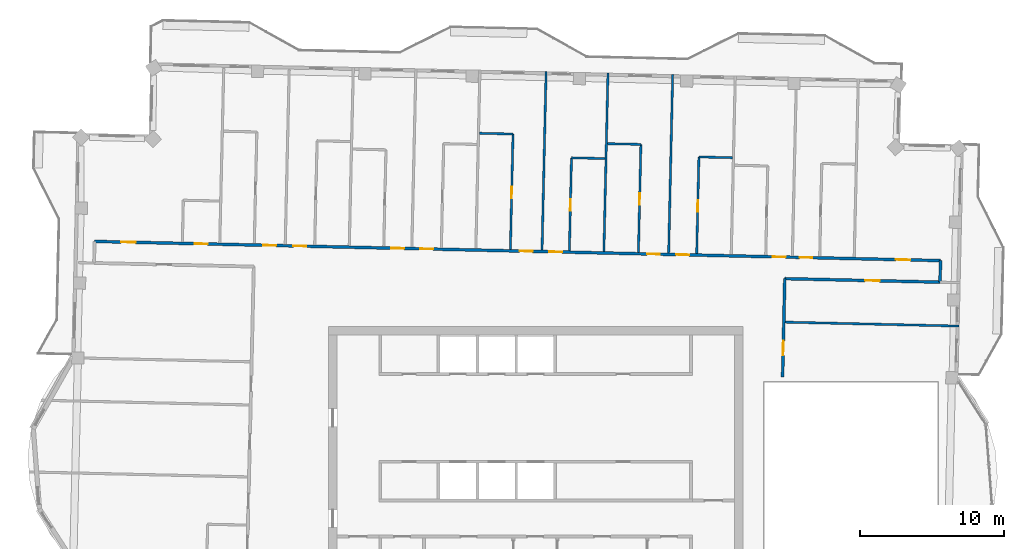
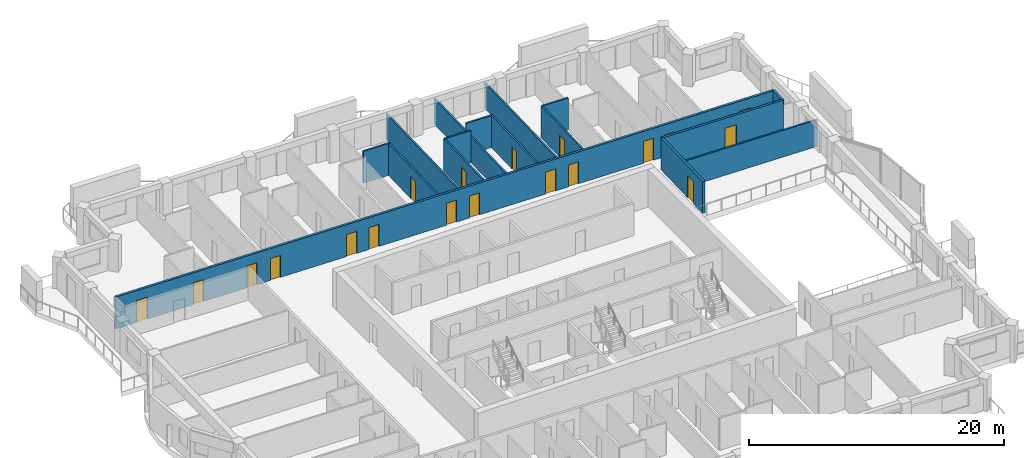
# One storey, part 9 of 15: 19 doors, 16 walls, 19 openings.
"""IFC4 building model written with IfcOpenShell, lengths in metres."""

import ifcopenshell
import ifcopenshell.guid

model = None  # the IFC model being written
_history = None  # IfcOwnerHistory: only IFC2X3 demands one
_inside = {}  # id of a spatial element -> (the spatial element, [elements in it])
_under = {}  # id of a project, library or spatial element -> (it, [spatial elements below it])
_declared = {}  # id of a project -> (the project, [libraries it declares])
_typed = {}  # id of a type object -> (the type object, [elements of that type])
_made_of = {}  # id of a material, layer set ... -> (it, [elements and type objects made of it])


def new_model(schema):
    """Start an empty IFC model of exactly this schema.

    Asked for "IFC4X3", IfcOpenShell would pick the latest addendum, in which some entities
    have other attributes; the version numbers below select the first issue.
    IFC2X3 requires an IfcOwnerHistory on every rooted entity: one is made here for all.
    """
    global model, _history
    if schema == "IFC4X3":
        model = ifcopenshell.file(schema_version=(4, 3, 0, 0))
    else:
        model = ifcopenshell.file(schema=schema)
    _inside.clear()
    _under.clear()
    _declared.clear()
    _typed.clear()
    _made_of.clear()
    _history = None
    if model.schema == "IFC2X3":
        org = make("IfcOrganization", Name="unknown")
        user = make(
            "IfcPersonAndOrganization",
            ThePerson=make("IfcPerson", FamilyName="unknown"),
            TheOrganization=org,
        )
        app = make(
            "IfcApplication",
            ApplicationDeveloper=org,
            Version="unknown",
            ApplicationFullName="unknown",
            ApplicationIdentifier="unknown",
        )
        _history = make(
            "IfcOwnerHistory",
            OwningUser=user,
            OwningApplication=app,
            ChangeAction="ADDED",
            CreationDate=0,
        )
    return model


def make(cls, **values):
    """One entity of the class cls with the attributes given. An attribute that is None is left unset."""
    return model.create_entity(
        cls, **{name: value for name, value in values.items() if value is not None}
    )


def rooted(cls, **values):
    """An entity with a GlobalId (a new one), such as an element, a storey or a relation."""
    return make(cls, GlobalId=ifcopenshell.guid.new(), OwnerHistory=_history, **values)


def si_unit(unit_type, name, prefix=None):
    """IfcSIUnit, for example si_unit("LENGTHUNIT", "METRE", prefix="MILLI")."""
    return make("IfcSIUnit", UnitType=unit_type, Prefix=prefix, Name=name)


def assignment(units):
    """IfcUnitAssignment: the units of a project."""
    return None if units is None else make("IfcUnitAssignment", Units=units)


def point(xyz):
    """IfcCartesianPoint."""
    return None if xyz is None else make("IfcCartesianPoint", Coordinates=xyz)


def direction(xyz):
    """IfcDirection."""
    return None if xyz is None else make("IfcDirection", DirectionRatios=xyz)


def frame(location, z_axis=None, x_axis=None):
    """IfcAxis2Placement3D, a coordinate frame: its origin and axes. An axis left out is left unset."""
    return make(
        "IfcAxis2Placement3D",
        Location=point(location),
        Axis=direction(z_axis),
        RefDirection=direction(x_axis),
    )


def frame_2d(location, x_axis=None):
    """IfcAxis2Placement2D, a coordinate frame in the plane: its origin and x axis."""
    return make(
        "IfcAxis2Placement2D", Location=point(location), RefDirection=direction(x_axis)
    )


def origin():
    """The frame at (0, 0, 0) with its axes left unset."""
    return frame((0.0, 0.0, 0.0))


def place(relative_to, where):
    """IfcLocalPlacement: puts the frame where relative to a parent placement (None: the world)."""
    return make(
        "IfcLocalPlacement", PlacementRelTo=relative_to, RelativePlacement=where
    )


def context(
    kind, dimensions, precision=None, world=None, true_north=None, identifier=None
):
    """IfcGeometricRepresentationContext, for example the 3D "Model" context."""
    return make(
        "IfcGeometricRepresentationContext",
        ContextIdentifier=identifier,
        ContextType=kind,
        CoordinateSpaceDimension=dimensions,
        Precision=precision,
        WorldCoordinateSystem=world,
        TrueNorth=true_north,
    )


def subcontext(parent, identifier, kind, view, scale=None):
    """IfcGeometricRepresentationSubContext, for example "Body" below "Model"."""
    return make(
        "IfcGeometricRepresentationSubContext",
        ContextIdentifier=identifier,
        ContextType=kind,
        ParentContext=parent,
        TargetScale=scale,
        TargetView=view,
    )


def project(units=None, contexts=None):
    """IfcProject with its units and contexts."""
    return rooted(
        "IfcProject",
        Name="project",
        RepresentationContexts=contexts,
        UnitsInContext=assignment(units),
    )


def spatial(cls, under=None, at=None, **own):
    """A site, building, storey or space (cls), placed at a placement, below another one or the project."""
    s = rooted(cls, ObjectPlacement=at, **own)
    if under is not None:
        _under.setdefault(under.id(), (under, []))[1].append(s)
    return s


def profile(cls, at=None, kind="AREA", **sizes):
    """A parametric profile (cls). Its sizes go by their IFC names, for example OverallWidth=200.0."""
    return make(cls, ProfileType=kind, Position=at, **sizes)


def rectangle(**sizes):
    """IfcRectangleProfileDef."""
    return profile("IfcRectangleProfileDef", **sizes)


def extrude(swept, where, along, depth):
    """IfcExtrudedAreaSolid: the profile swept, set in the frame where, extruded along a direction by depth."""
    return make(
        "IfcExtrudedAreaSolid",
        SweptArea=swept,
        Position=where,
        ExtrudedDirection=direction(along),
        Depth=depth,
    )


def shape(context_of_items, identifier, shape_type, items):
    """IfcShapeRepresentation: the items that make up one representation, for example the "Body"."""
    return make(
        "IfcShapeRepresentation",
        ContextOfItems=context_of_items,
        RepresentationIdentifier=identifier,
        RepresentationType=shape_type,
        Items=items,
    )


def material(Name=None, Category=None):
    """IfcMaterial."""
    return make("IfcMaterial", Name=Name, Category=Category)


def layer(
    of_material, thickness, ventilated=None, Name=None, Category=None, Priority=None
):
    """IfcMaterialLayer: one layer of a wall or slab, of a material (None: an air gap)."""
    return make(
        "IfcMaterialLayer",
        Material=of_material,
        LayerThickness=thickness,
        IsVentilated=ventilated,
        Name=Name,
        Category=Category,
        Priority=Priority,
    )


def layer_set(layers, Name=None):
    """IfcMaterialLayerSet."""
    return make("IfcMaterialLayerSet", MaterialLayers=layers, LayerSetName=Name)


def made_of(thing, what):
    """Note that an element or type object is made of a material, layer set ...; save() writes the relation."""
    if what is not None:
        _made_of.setdefault(what.id(), (what, []))[1].append(thing)
    return thing


def type_object(cls, material=None, **own):
    """A type object (cls), such as IfcWallType, which elements share."""
    return made_of(rooted(cls, **own), material)


def element(
    cls,
    number,
    at=None,
    inside=None,
    cuts=None,
    type_object=None,
    material=None,
    context=None,
    identifier="Body",
    shape_type=None,
    held_by="IfcProductDefinitionShape",
    body=None,
    shapes=None,
    **own,
):
    """One element of the class cls, such as IfcWall. Its Tag is "e" and its number.

    at: its placement. inside: the storey or other place that contains it. cuts: it is an
    opening in that element (IfcRelVoidsElement). A single representation is given by context,
    identifier, shape_type and body (its items); several are given by shapes. held_by: the class
    of the entity that holds the representations. save() writes the other relations.
    """
    e = rooted(cls, Tag="e%d" % number, ObjectPlacement=at, **own)
    if body is not None:
        shapes = [shape(context, identifier, shape_type, body)]
    if shapes is not None:
        e.Representation = make(held_by, Representations=shapes)
    if inside is not None:
        _inside.setdefault(inside.id(), (inside, []))[1].append(e)
    if cuts is not None:
        rooted(
            "IfcRelVoidsElement", RelatingBuildingElement=cuts, RelatedOpeningElement=e
        )
    if type_object is not None:
        _typed.setdefault(type_object.id(), (type_object, []))[1].append(e)
    return made_of(e, material)


def fill(opening, filler):
    """IfcRelFillsElement: the door or window that sits in an opening."""
    return rooted(
        "IfcRelFillsElement",
        RelatingOpeningElement=opening,
        RelatedBuildingElement=filler,
    )


def aggregate(whole, parts):
    """IfcRelAggregates: a whole, such as a stair, and the parts it consists of."""
    return rooted("IfcRelAggregates", RelatingObject=whole, RelatedObjects=parts)


def save(model, path):
    """Write the relations noted so far, then the file.

    IfcRelAggregates (storeys below a building ...), IfcRelContainedInSpatialStructure (elements
    in a storey), IfcRelDefinesByType, IfcRelAssociatesMaterial and IfcRelDeclares: one each for
    every whole, place, type object, material and project.
    """
    for whole, parts in _under.values():
        aggregate(whole, parts)
    for where, things in _inside.values():
        rooted(
            "IfcRelContainedInSpatialStructure",
            RelatedElements=things,
            RelatingStructure=where,
        )
    for kind, things in _typed.values():
        rooted("IfcRelDefinesByType", RelatedObjects=things, RelatingType=kind)
    for what, things in _made_of.values():
        rooted("IfcRelAssociatesMaterial", RelatedObjects=things, RelatingMaterial=what)
    for by, libraries in _declared.values():
        rooted("IfcRelDeclares", RelatingContext=by, RelatedDefinitions=libraries)
    model.write(path)


model = new_model("IFC4")

# Units and contexts
model_context = context("Model", 3, precision=1e-05, world=origin(), true_north=direction((0.0, 1.0)))
body_context = subcontext(model_context, "Body", "Model", "MODEL_VIEW")
ifc_project = project(units=[si_unit("LENGTHUNIT", "METRE"), si_unit("AREAUNIT", "SQUARE_METRE"), si_unit("VOLUMEUNIT", "CUBIC_METRE"), si_unit("PLANEANGLEUNIT", "RADIAN"), si_unit("MASSUNIT", "GRAM", prefix="KILO")], contexts=[model_context])

# Site, building, storey
site_placement = place(None, origin())
site = spatial("IfcSite", under=ifc_project, at=site_placement, CompositionType="ELEMENT")
building_placement = place(site_placement, origin())
building = spatial("IfcBuilding", under=site, at=building_placement, Name="Mangrove Gate Tower", CompositionType="ELEMENT")
storey_placement = place(building_placement, frame((0.0, 0.0, 320.5)))
storey = spatial("IfcBuildingStorey", under=building, at=storey_placement, Name="L82", CompositionType="ELEMENT", Elevation=320.5)

# Wall, opening, door
ifc_material_1 = material(Name="Gypsum board on steel stud, EI 60", Category="steel")
ifc_layer_1 = layer(ifc_material_1, 0.199951171875)
ifc_layer_set_1 = layer_set([ifc_layer_1], Name="Corridor wall EI 60")
wall_type_1 = type_object("IfcWallType", Name="Corridor wall EI 60", PredefinedType="PARTITIONING", material=ifc_layer_set_1)
wall_1_placement = place(storey_placement, frame((17.156982421875, 7.89794921875, 0.0), z_axis=(0.0, 0.0, 1.0), x_axis=(0.022562209343, 0.999745440955, 0.0)))
wall_1 = element("IfcWall", 1, at=wall_1_placement, inside=storey, type_object=wall_type_1, Name="WALL-L82-050", PredefinedType="PARTITIONING", context=body_context, shape_type="SweptSolid", body=[
    extrude(rectangle(XDim=6.827880859375, YDim=0.199951171875, at=frame_2d((3.4140625, 0.0))), origin(), (0.0, 0.0, 1.0), 3.050048828125),
])
opening_1_placement = place(wall_1_placement, frame((1.50390625, 0.0, 0.0)))
opening_1 = element("IfcOpeningElement", 2, at=opening_1_placement, cuts=wall_1, Name="Opening AD", PredefinedType="OPENING", context=body_context, shape_type="SweptSolid", body=[
    extrude(rectangle(XDim=1.0, YDim=2.10009765625, at=frame_2d((0.5, 1.050048828125))), frame((0.0, 0.10986328125, 0.0), z_axis=(0.0, -1.0, 0.0), x_axis=(1.0, 0.0, 0.0)), (0.0, 0.0, 1.0), 0.219970703125),
])
ifc_material_2 = material(Name="Timber door leaf", Category="wood")
door_type_1 = type_object("IfcDoorType", Name="Amenity door 1000", OperationType="SINGLE_SWING_LEFT", PredefinedType="DOOR", material=ifc_material_2)
door_1_placement = place(opening_1_placement, origin())
door_1 = element("IfcDoor", 3, at=door_1_placement, inside=storey, type_object=door_type_1, Name="DOOR-L82-KIT-c3a", OperationType="SINGLE_SWING_LEFT", OverallHeight=2.10009765625, OverallWidth=1.0, PredefinedType="DOOR", context=body_context, shape_type="SweptSolid", body=[
    extrude(rectangle(XDim=1.0, YDim=2.10009765625, at=frame_2d((0.5, 1.050048828125))), frame((0.0, 0.02490234375, 0.0), z_axis=(0.0, -1.0, 0.0), x_axis=(1.0, 0.0, 0.0)), (0.0, 0.0, 1.0), 0.050048828125),
])
fill(opening_1, door_1)

wall_2_placement = place(storey_placement, frame((17.305908203125, 14.72412109375, 0.0), z_axis=(0.0, 0.0, 1.0), x_axis=(0.999744269809, -0.022614043969, 0.0)))
wall_2 = element("IfcWall", 4, at=wall_2_placement, inside=storey, type_object=wall_type_1, Name="WALL-L82-056", PredefinedType="PARTITIONING", context=body_context, shape_type="SweptSolid", body=[
    extrude(rectangle(XDim=10.7958984375, YDim=0.199951171875, at=frame_2d((5.39794921875, 0.0))), origin(), (0.0, 0.0, 1.0), 3.050048828125),
])
opening_2_placement = place(wall_2_placement, frame((5.597900390625, 0.0, 0.0)))
opening_2 = element("IfcOpeningElement", 5, at=opening_2_placement, cuts=wall_2, Name="Opening AD", PredefinedType="OPENING", context=body_context, shape_type="SweptSolid", body=[
    extrude(rectangle(XDim=1.0, YDim=2.10009765625, at=frame_2d((0.5, 1.050048828125))), frame((0.0, 0.10986328125, 0.0), z_axis=(0.0, -1.0, 0.0), x_axis=(1.0, 0.0, 0.0)), (0.0, 0.0, 1.0), 0.219970703125),
])
door_2_placement = place(opening_2_placement, origin())
door_2 = element("IfcDoor", 6, at=door_2_placement, inside=storey, type_object=door_type_1, Name="DOOR-L82-STU-c3a", OperationType="SINGLE_SWING_RIGHT", OverallHeight=2.10009765625, OverallWidth=1.0, PredefinedType="DOOR", context=body_context, shape_type="SweptSolid", body=[
    extrude(rectangle(XDim=1.0, YDim=2.10009765625, at=frame_2d((0.5, 1.050048828125))), frame((0.0, 0.02490234375, 0.0), z_axis=(0.0, -1.0, 0.0), x_axis=(1.0, 0.0, 0.0)), (0.0, 0.0, 1.0), 0.050048828125),
])
fill(opening_2, door_2)

# Wall
wall_3_placement = place(storey_placement, frame((28.09912109375, 14.47998046875, 0.0), z_axis=(0.0, 0.0, 1.0), x_axis=(0.022632637625, 0.99974384905, 0.0)))
element("IfcWall", 7, at=wall_3_placement, inside=storey, type_object=wall_type_1, Name="WALL-L82-058", PredefinedType="PARTITIONING", context=body_context, shape_type="SweptSolid", body=[
    extrude(rectangle(XDim=1.49951171875, YDim=0.199951171875, at=frame_2d((0.749755859375, 0.0))), origin(), (0.0, 0.0, 1.0), 3.050048828125),
])

# Wall, openings, doors
wall_4_placement = place(storey_placement, frame((-30.652099609375, 17.31298828125, 0.0), z_axis=(0.0, 0.0, 1.0), x_axis=(0.999742623764, -0.02268669719, 0.0)))
wall_4 = element("IfcWall", 8, at=wall_4_placement, inside=storey, type_object=wall_type_1, Name="WALL-L82-059", PredefinedType="PARTITIONING", context=body_context, shape_type="SweptSolid", body=[
    extrude(rectangle(XDim=58.80029296875, YDim=0.199951171875, at=frame_2d((29.400146484375, 0.0))), origin(), (0.0, 0.0, 1.0), 3.050048828125),
])
opening_3_placement = place(wall_4_placement, frame((55.697998046875, 0.0, 0.0)))
opening_3 = element("IfcOpeningElement", 9, at=opening_3_placement, cuts=wall_4, Name="Opening AD", PredefinedType="OPENING", context=body_context, shape_type="SweptSolid", body=[
    extrude(rectangle(XDim=1.0, YDim=2.10009765625, at=frame_2d((0.5, 1.050048828125))), frame((0.0, 0.10986328125, 0.0), z_axis=(0.0, -1.0, 0.0), x_axis=(1.0, 0.0, 0.0)), (0.0, 0.0, 1.0), 0.219970703125),
])
opening_4_placement = place(wall_4_placement, frame((49.0, 0.0, 0.0)))
opening_4 = element("IfcOpeningElement", 10, at=opening_4_placement, cuts=wall_4, Name="Opening BD", PredefinedType="OPENING", context=body_context, shape_type="SweptSolid", body=[
    extrude(rectangle(XDim=0.89990234375, YDim=2.10009765625, at=frame_2d((0.449951171875, 1.050048828125))), frame((0.0, 0.10986328125, 0.0), z_axis=(0.0, -1.0, 0.0), x_axis=(1.0, 0.0, 0.0)), (0.0, 0.0, 1.0), 0.219970703125),
])
opening_5_placement = place(wall_4_placement, frame((47.125, 0.0, 0.0)))
opening_5 = element("IfcOpeningElement", 11, at=opening_5_placement, cuts=wall_4, Name="Opening BD", PredefinedType="OPENING", context=body_context, shape_type="SweptSolid", body=[
    extrude(rectangle(XDim=0.89990234375, YDim=2.10009765625, at=frame_2d((0.449951171875, 1.050048828125))), frame((0.0, 0.10986328125, 0.0), z_axis=(0.0, -1.0, 0.0), x_axis=(1.0, 0.0, 0.0)), (0.0, 0.0, 1.0), 0.219970703125),
])
opening_6_placement = place(wall_4_placement, frame((40.425048828125, 0.0, 0.0)))
opening_6 = element("IfcOpeningElement", 12, at=opening_6_placement, cuts=wall_4, Name="Opening BD", PredefinedType="OPENING", context=body_context, shape_type="SweptSolid", body=[
    extrude(rectangle(XDim=0.89990234375, YDim=2.10009765625, at=frame_2d((0.449951171875, 1.050048828125))), frame((0.0, 0.10986328125, 0.0), z_axis=(0.0, -1.0, 0.0), x_axis=(1.0, 0.0, 0.0)), (0.0, 0.0, 1.0), 0.219970703125),
])
opening_7_placement = place(wall_4_placement, frame((38.39990234375, 0.0, 0.0)))
opening_7 = element("IfcOpeningElement", 13, at=opening_7_placement, cuts=wall_4, Name="Opening BD", PredefinedType="OPENING", context=body_context, shape_type="SweptSolid", body=[
    extrude(rectangle(XDim=0.89990234375, YDim=2.10009765625, at=frame_2d((0.449951171875, 1.050048828125))), frame((0.0, 0.10986328125, 0.0), z_axis=(0.0, -1.0, 0.0), x_axis=(1.0, 0.0, 0.0)), (0.0, 0.0, 1.0), 0.219970703125),
])
opening_8_placement = place(wall_4_placement, frame((31.60009765625, 0.0, 0.0)))
opening_8 = element("IfcOpeningElement", 14, at=opening_8_placement, cuts=wall_4, Name="Opening BD", PredefinedType="OPENING", context=body_context, shape_type="SweptSolid", body=[
    extrude(rectangle(XDim=0.89990234375, YDim=2.10009765625, at=frame_2d((0.449951171875, 1.050048828125))), frame((0.0, 0.10986328125, 0.0), z_axis=(0.0, -1.0, 0.0), x_axis=(1.0, 0.0, 0.0)), (0.0, 0.0, 1.0), 0.219970703125),
])
opening_9_placement = place(wall_4_placement, frame((29.550048828125, 0.0, 0.0)))
opening_9 = element("IfcOpeningElement", 15, at=opening_9_placement, cuts=wall_4, Name="Opening BD", PredefinedType="OPENING", context=body_context, shape_type="SweptSolid", body=[
    extrude(rectangle(XDim=0.89990234375, YDim=2.10009765625, at=frame_2d((0.449951171875, 1.050048828125))), frame((0.0, 0.10986328125, 0.0), z_axis=(0.0, -1.0, 0.0), x_axis=(1.0, 0.0, 0.0)), (0.0, 0.0, 1.0), 0.219970703125),
])
opening_10_placement = place(wall_4_placement, frame((22.625, 0.0, 0.0)))
opening_10 = element("IfcOpeningElement", 16, at=opening_10_placement, cuts=wall_4, Name="Opening BD", PredefinedType="OPENING", context=body_context, shape_type="SweptSolid", body=[
    extrude(rectangle(XDim=0.89990234375, YDim=2.10009765625, at=frame_2d((0.449951171875, 1.050048828125))), frame((0.0, 0.10986328125, 0.0), z_axis=(0.0, -1.0, 0.0), x_axis=(1.0, 0.0, 0.0)), (0.0, 0.0, 1.0), 0.219970703125),
])
opening_11_placement = place(wall_4_placement, frame((20.625, 0.0, 0.0)))
opening_11 = element("IfcOpeningElement", 17, at=opening_11_placement, cuts=wall_4, Name="Opening BD", PredefinedType="OPENING", context=body_context, shape_type="SweptSolid", body=[
    extrude(rectangle(XDim=0.89990234375, YDim=2.10009765625, at=frame_2d((0.449951171875, 1.050048828125))), frame((0.0, 0.10986328125, 0.0), z_axis=(0.0, -1.0, 0.0), x_axis=(1.0, 0.0, 0.0)), (0.0, 0.0, 1.0), 0.219970703125),
])
opening_12_placement = place(wall_4_placement, frame((13.824951171875, 0.0, 0.0)))
opening_12 = element("IfcOpeningElement", 18, at=opening_12_placement, cuts=wall_4, Name="Opening BD", PredefinedType="OPENING", context=body_context, shape_type="SweptSolid", body=[
    extrude(rectangle(XDim=0.89990234375, YDim=2.10009765625, at=frame_2d((0.449951171875, 1.050048828125))), frame((0.0, 0.10986328125, 0.0), z_axis=(0.0, -1.0, 0.0), x_axis=(1.0, 0.0, 0.0)), (0.0, 0.0, 1.0), 0.219970703125),
])
opening_13_placement = place(wall_4_placement, frame((11.72509765625, 0.0, 0.0)))
opening_13 = element("IfcOpeningElement", 19, at=opening_13_placement, cuts=wall_4, Name="Opening BD", PredefinedType="OPENING", context=body_context, shape_type="SweptSolid", body=[
    extrude(rectangle(XDim=0.89990234375, YDim=2.10009765625, at=frame_2d((0.449951171875, 1.050048828125))), frame((0.0, 0.10986328125, 0.0), z_axis=(0.0, -1.0, 0.0), x_axis=(1.0, 0.0, 0.0)), (0.0, 0.0, 1.0), 0.219970703125),
])
opening_14_placement = place(wall_4_placement, frame((1.85009765625, 0.0, 0.0)))
opening_14 = element("IfcOpeningElement", 20, at=opening_14_placement, cuts=wall_4, Name="Opening AD", PredefinedType="OPENING", context=body_context, shape_type="SweptSolid", body=[
    extrude(rectangle(XDim=1.0, YDim=2.10009765625, at=frame_2d((0.5, 1.050048828125))), frame((0.0, 0.10986328125, 0.0), z_axis=(0.0, -1.0, 0.0), x_axis=(1.0, 0.0, 0.0)), (0.0, 0.0, 1.0), 0.219970703125),
])
opening_15_placement = place(wall_4_placement, frame((6.949951171875, 0.0, 0.0)))
opening_15 = element("IfcOpeningElement", 21, at=opening_15_placement, cuts=wall_4, Name="Opening SD", PredefinedType="OPENING", context=body_context, shape_type="SweptSolid", body=[
    extrude(rectangle(XDim=0.89990234375, YDim=2.10009765625, at=frame_2d((0.449951171875, 1.050048828125))), frame((0.0, 0.10986328125, 0.0), z_axis=(0.0, -1.0, 0.0), x_axis=(1.0, 0.0, 0.0)), (0.0, 0.0, 1.0), 0.219970703125),
])
door_3_placement = place(opening_3_placement, origin())
door_3 = element("IfcDoor", 22, at=door_3_placement, inside=storey, type_object=door_type_1, Name="DOOR-L82-STU-c3b", OperationType="SINGLE_SWING_LEFT", OverallHeight=2.10009765625, OverallWidth=1.0, PredefinedType="DOOR", context=body_context, shape_type="SweptSolid", body=[
    extrude(rectangle(XDim=1.0, YDim=2.10009765625, at=frame_2d((0.5, 1.050048828125))), frame((0.0, 0.02490234375, 0.0), z_axis=(0.0, -1.0, 0.0), x_axis=(1.0, 0.0, 0.0)), (0.0, 0.0, 1.0), 0.050048828125),
])
fill(opening_3, door_3)
door_4_placement = place(opening_14_placement, origin())
door_4 = element("IfcDoor", 23, at=door_4_placement, inside=storey, type_object=door_type_1, Name="DOOR-L82-LNG-c5a", OperationType="SINGLE_SWING_RIGHT", OverallHeight=2.10009765625, OverallWidth=1.0, PredefinedType="DOOR", context=body_context, shape_type="SweptSolid", body=[
    extrude(rectangle(XDim=1.0, YDim=2.10009765625, at=frame_2d((0.5, 1.050048828125))), frame((0.0, 0.02490234375, 0.0), z_axis=(0.0, -1.0, 0.0), x_axis=(1.0, 0.0, 0.0)), (0.0, 0.0, 1.0), 0.050048828125),
])
fill(opening_14, door_4)
ifc_material_3 = material(Name="Timber door leaf", Category="wood")
door_type_2 = type_object("IfcDoorType", Name="Bedroom door 900", OperationType="SINGLE_SWING_LEFT", PredefinedType="DOOR", material=ifc_material_3)
door_5_placement = place(opening_4_placement, origin())
door_5 = element("IfcDoor", 24, at=door_5_placement, inside=storey, type_object=door_type_2, Name="DOOR-L82-BED-c311", OperationType="SINGLE_SWING_LEFT", OverallHeight=2.10009765625, OverallWidth=0.89990234375, PredefinedType="DOOR", context=body_context, shape_type="SweptSolid", body=[
    extrude(rectangle(XDim=0.89990234375, YDim=2.10009765625, at=frame_2d((0.449951171875, 1.050048828125))), frame((0.0, 0.02490234375, 0.0), z_axis=(0.0, -1.0, 0.0), x_axis=(1.0, 0.0, 0.0)), (0.0, 0.0, 1.0), 0.050048828125),
])
fill(opening_4, door_5)
door_6_placement = place(opening_5_placement, origin())
door_6 = element("IfcDoor", 25, at=door_6_placement, inside=storey, type_object=door_type_2, Name="DOOR-L82-BED-c312", OperationType="SINGLE_SWING_RIGHT", OverallHeight=2.10009765625, OverallWidth=0.89990234375, PredefinedType="DOOR", context=body_context, shape_type="SweptSolid", body=[
    extrude(rectangle(XDim=0.89990234375, YDim=2.10009765625, at=frame_2d((0.449951171875, 1.050048828125))), frame((0.0, 0.02490234375, 0.0), z_axis=(0.0, -1.0, 0.0), x_axis=(1.0, 0.0, 0.0)), (0.0, 0.0, 1.0), 0.050048828125),
])
fill(opening_5, door_6)
door_7_placement = place(opening_6_placement, origin())
door_7 = element("IfcDoor", 26, at=door_7_placement, inside=storey, type_object=door_type_2, Name="DOOR-L82-BED-c413", OperationType="SINGLE_SWING_LEFT", OverallHeight=2.10009765625, OverallWidth=0.89990234375, PredefinedType="DOOR", context=body_context, shape_type="SweptSolid", body=[
    extrude(rectangle(XDim=0.89990234375, YDim=2.10009765625, at=frame_2d((0.449951171875, 1.050048828125))), frame((0.0, 0.02490234375, 0.0), z_axis=(0.0, -1.0, 0.0), x_axis=(1.0, 0.0, 0.0)), (0.0, 0.0, 1.0), 0.050048828125),
])
fill(opening_6, door_7)
door_8_placement = place(opening_7_placement, origin())
door_8 = element("IfcDoor", 27, at=door_8_placement, inside=storey, type_object=door_type_2, Name="DOOR-L82-BED-c414", OperationType="SINGLE_SWING_RIGHT", OverallHeight=2.10009765625, OverallWidth=0.89990234375, PredefinedType="DOOR", context=body_context, shape_type="SweptSolid", body=[
    extrude(rectangle(XDim=0.89990234375, YDim=2.10009765625, at=frame_2d((0.449951171875, 1.050048828125))), frame((0.0, 0.02490234375, 0.0), z_axis=(0.0, -1.0, 0.0), x_axis=(1.0, 0.0, 0.0)), (0.0, 0.0, 1.0), 0.050048828125),
])
fill(opening_7, door_8)
door_9_placement = place(opening_8_placement, origin())
door_9 = element("IfcDoor", 28, at=door_9_placement, inside=storey, type_object=door_type_2, Name="DOOR-L82-BED-c415", OperationType="SINGLE_SWING_LEFT", OverallHeight=2.10009765625, OverallWidth=0.89990234375, PredefinedType="DOOR", context=body_context, shape_type="SweptSolid", body=[
    extrude(rectangle(XDim=0.89990234375, YDim=2.10009765625, at=frame_2d((0.449951171875, 1.050048828125))), frame((0.0, 0.02490234375, 0.0), z_axis=(0.0, -1.0, 0.0), x_axis=(1.0, 0.0, 0.0)), (0.0, 0.0, 1.0), 0.050048828125),
])
fill(opening_8, door_9)
door_10_placement = place(opening_9_placement, origin())
door_10 = element("IfcDoor", 29, at=door_10_placement, inside=storey, type_object=door_type_2, Name="DOOR-L82-BED-c416", OperationType="SINGLE_SWING_RIGHT", OverallHeight=2.10009765625, OverallWidth=0.89990234375, PredefinedType="DOOR", context=body_context, shape_type="SweptSolid", body=[
    extrude(rectangle(XDim=0.89990234375, YDim=2.10009765625, at=frame_2d((0.449951171875, 1.050048828125))), frame((0.0, 0.02490234375, 0.0), z_axis=(0.0, -1.0, 0.0), x_axis=(1.0, 0.0, 0.0)), (0.0, 0.0, 1.0), 0.050048828125),
])
fill(opening_9, door_10)
door_11_placement = place(opening_10_placement, origin())
door_11 = element("IfcDoor", 30, at=door_11_placement, inside=storey, type_object=door_type_2, Name="DOOR-L82-BED-c517", OperationType="SINGLE_SWING_LEFT", OverallHeight=2.10009765625, OverallWidth=0.89990234375, PredefinedType="DOOR", context=body_context, shape_type="SweptSolid", body=[
    extrude(rectangle(XDim=0.89990234375, YDim=2.10009765625, at=frame_2d((0.449951171875, 1.050048828125))), frame((0.0, 0.02490234375, 0.0), z_axis=(0.0, -1.0, 0.0), x_axis=(1.0, 0.0, 0.0)), (0.0, 0.0, 1.0), 0.050048828125),
])
fill(opening_10, door_11)
door_12_placement = place(opening_11_placement, origin())
door_12 = element("IfcDoor", 31, at=door_12_placement, inside=storey, type_object=door_type_2, Name="DOOR-L82-BED-c518", OperationType="SINGLE_SWING_RIGHT", OverallHeight=2.10009765625, OverallWidth=0.89990234375, PredefinedType="DOOR", context=body_context, shape_type="SweptSolid", body=[
    extrude(rectangle(XDim=0.89990234375, YDim=2.10009765625, at=frame_2d((0.449951171875, 1.050048828125))), frame((0.0, 0.02490234375, 0.0), z_axis=(0.0, -1.0, 0.0), x_axis=(1.0, 0.0, 0.0)), (0.0, 0.0, 1.0), 0.050048828125),
])
fill(opening_11, door_12)
door_13_placement = place(opening_12_placement, origin())
door_13 = element("IfcDoor", 32, at=door_13_placement, inside=storey, type_object=door_type_2, Name="DOOR-L82-BED-c519", OperationType="SINGLE_SWING_LEFT", OverallHeight=2.10009765625, OverallWidth=0.89990234375, PredefinedType="DOOR", context=body_context, shape_type="SweptSolid", body=[
    extrude(rectangle(XDim=0.89990234375, YDim=2.10009765625, at=frame_2d((0.449951171875, 1.050048828125))), frame((0.0, 0.02490234375, 0.0), z_axis=(0.0, -1.0, 0.0), x_axis=(1.0, 0.0, 0.0)), (0.0, 0.0, 1.0), 0.050048828125),
])
fill(opening_12, door_13)
door_14_placement = place(opening_13_placement, origin())
door_14 = element("IfcDoor", 33, at=door_14_placement, inside=storey, type_object=door_type_2, Name="DOOR-L82-BED-c520", OperationType="SINGLE_SWING_RIGHT", OverallHeight=2.10009765625, OverallWidth=0.89990234375, PredefinedType="DOOR", context=body_context, shape_type="SweptSolid", body=[
    extrude(rectangle(XDim=0.89990234375, YDim=2.10009765625, at=frame_2d((0.449951171875, 1.050048828125))), frame((0.0, 0.02490234375, 0.0), z_axis=(0.0, -1.0, 0.0), x_axis=(1.0, 0.0, 0.0)), (0.0, 0.0, 1.0), 0.050048828125),
])
fill(opening_13, door_14)
ifc_material_4 = material(Name="Timber door leaf", Category="wood")
door_type_3 = type_object("IfcDoorType", Name="Service room door 900", OperationType="SINGLE_SWING_LEFT", PredefinedType="DOOR", material=ifc_material_4)
door_15_placement = place(opening_15_placement, origin())
door_15 = element("IfcDoor", 34, at=door_15_placement, inside=storey, type_object=door_type_3, Name="DOOR-L82-AWC-c5a", OperationType="SINGLE_SWING_RIGHT", OverallHeight=2.10009765625, OverallWidth=0.89990234375, PredefinedType="DOOR", context=body_context, shape_type="SweptSolid", body=[
    extrude(rectangle(XDim=0.89990234375, YDim=2.10009765625, at=frame_2d((0.449951171875, 1.050048828125))), frame((0.0, 0.02490234375, 0.0), z_axis=(0.0, -1.0, 0.0), x_axis=(1.0, 0.0, 0.0)), (0.0, 0.0, 1.0), 0.050048828125),
])
fill(opening_15, door_15)

# Wall
ifc_material_5 = material(Name="Gypsum board on steel stud, EI 60", Category="steel")
ifc_layer_2 = layer(ifc_material_5, 0.14990234375)
ifc_layer_set_2 = layer_set([ifc_layer_2], Name="Party wall 150 EI 60")
wall_type_2 = type_object("IfcWallType", Name="Party wall 150 EI 60", PredefinedType="PARTITIONING", material=ifc_layer_set_2)
wall_5_placement = place(storey_placement, frame((17.337890625, 11.702880859375, 0.0), z_axis=(0.0, 0.0, 1.0), x_axis=(0.999743510562, -0.022647584624, 0.0)))
element("IfcWall", 35, at=wall_5_placement, inside=storey, type_object=wall_type_2, Name="WALL-L82-052", PredefinedType="PARTITIONING", context=body_context, shape_type="SweptSolid", body=[
    extrude(rectangle(XDim=12.09521484375, YDim=0.14990234375, at=frame_2d((6.047607421875, 0.0))), origin(), (0.0, 0.0, 1.0), 2.550048828125),
])

# Wall, opening, door
wall_6_placement = place(storey_placement, frame((-1.757080078125, 16.757080078125, 0.0), z_axis=(0.0, 0.0, 1.0), x_axis=(0.022709649785, 0.999742102648, 0.0)))
wall_6 = element("IfcWall", 36, at=wall_6_placement, inside=storey, type_object=wall_type_2, Name="WALL-L82-070", PredefinedType="PARTITIONING", context=body_context, shape_type="SweptSolid", body=[
    extrude(rectangle(XDim=8.019775390625, YDim=0.14990234375, at=frame_2d((4.009765625, 0.0))), origin(), (0.0, 0.0, 1.0), 3.050048828125),
])
opening_16_placement = place(wall_6_placement, frame((3.56005859375, 0.0, 0.0)))
opening_16 = element("IfcOpeningElement", 37, at=opening_16_placement, cuts=wall_6, Name="Opening ED", PredefinedType="OPENING", context=body_context, shape_type="SweptSolid", body=[
    extrude(rectangle(XDim=0.800048828125, YDim=2.10009765625, at=frame_2d((0.39990234375, 1.050048828125))), frame((0.0, 0.0849609375, 0.0), z_axis=(0.0, -1.0, 0.0), x_axis=(1.0, 0.0, 0.0)), (0.0, 0.0, 1.0), 0.169921875),
])
ifc_material_6 = material(Name="Timber door leaf", Category="wood")
door_type_4 = type_object("IfcDoorType", Name="En-suite door 800", OperationType="SINGLE_SWING_LEFT", PredefinedType="DOOR", material=ifc_material_6)
door_16_placement = place(opening_16_placement, origin())
door_16 = element("IfcDoor", 38, at=door_16_placement, inside=storey, type_object=door_type_4, Name="DOOR-L82-ENS-c416", OperationType="SINGLE_SWING_RIGHT", OverallHeight=2.10009765625, OverallWidth=0.800048828125, PredefinedType="DOOR", context=body_context, shape_type="SweptSolid", body=[
    extrude(rectangle(XDim=0.800048828125, YDim=2.10009765625, at=frame_2d((0.39990234375, 1.050048828125))), frame((0.0, 0.02490234375, 0.0), z_axis=(0.0, -1.0, 0.0), x_axis=(1.0, 0.0, 0.0)), (0.0, 0.0, 1.0), 0.050048828125),
])
fill(opening_16, door_16)

# Wall
wall_7_placement = place(storey_placement, frame((0.44189453125, 16.7080078125, 0.0), z_axis=(0.0, 0.0, 1.0), x_axis=(0.022663260168, 0.999743155335, 0.0)))
element("IfcWall", 39, at=wall_7_placement, inside=storey, type_object=wall_type_2, Name="WALL-L82-071", PredefinedType="PARTITIONING", context=body_context, shape_type="SweptSolid", body=[
    extrude(rectangle(XDim=12.399169921875, YDim=0.14990234375, at=frame_2d((6.19970703125, 0.0))), origin(), (0.0, 0.0, 1.0), 2.449951171875),
])

# Wall, opening, door
wall_8_placement = place(storey_placement, frame((2.342041015625, 16.6640625, 0.0), z_axis=(0.0, 0.0, 1.0), x_axis=(0.022597796078, 0.999744637201, 0.0)))
wall_8 = element("IfcWall", 40, at=wall_8_placement, inside=storey, type_object=wall_type_2, Name="WALL-L82-072", PredefinedType="PARTITIONING", context=body_context, shape_type="SweptSolid", body=[
    extrude(rectangle(XDim=6.460693359375, YDim=0.14990234375, at=frame_2d((3.23046875, 0.0))), origin(), (0.0, 0.0, 1.0), 3.050048828125),
])
opening_17_placement = place(wall_8_placement, frame((2.780029296875, 0.0, 0.0)))
opening_17 = element("IfcOpeningElement", 41, at=opening_17_placement, cuts=wall_8, Name="Opening ED", PredefinedType="OPENING", context=body_context, shape_type="SweptSolid", body=[
    extrude(rectangle(XDim=0.800048828125, YDim=2.10009765625, at=frame_2d((0.39990234375, 1.050048828125))), frame((0.0, 0.0849609375, 0.0), z_axis=(0.0, -1.0, 0.0), x_axis=(1.0, 0.0, 0.0)), (0.0, 0.0, 1.0), 0.169921875),
])
door_17_placement = place(opening_17_placement, origin())
door_17 = element("IfcDoor", 42, at=door_17_placement, inside=storey, type_object=door_type_4, Name="DOOR-L82-ENS-c415", OperationType="SINGLE_SWING_LEFT", OverallHeight=2.10009765625, OverallWidth=0.800048828125, PredefinedType="DOOR", context=body_context, shape_type="SweptSolid", body=[
    extrude(rectangle(XDim=0.800048828125, YDim=2.10009765625, at=frame_2d((0.39990234375, 1.050048828125))), frame((0.0, 0.02490234375, 0.0), z_axis=(0.0, -1.0, 0.0), x_axis=(1.0, 0.0, 0.0)), (0.0, 0.0, 1.0), 0.050048828125),
])
fill(opening_17, door_17)

# Wall
wall_9_placement = place(storey_placement, frame((4.740966796875, 16.610107421875, 0.0), z_axis=(0.0, 0.0, 1.0), x_axis=(0.022661475803, 0.999743195783, 0.0)))
element("IfcWall", 43, at=wall_9_placement, inside=storey, type_object=wall_type_2, Name="WALL-L82-073", PredefinedType="PARTITIONING", context=body_context, shape_type="SweptSolid", body=[
    extrude(rectangle(XDim=12.400146484375, YDim=0.14990234375, at=frame_2d((6.2001953125, 0.0))), origin(), (0.0, 0.0, 1.0), 2.449951171875),
])

# Wall, opening, door
wall_10_placement = place(storey_placement, frame((7.139892578125, 16.555908203125, 0.0), z_axis=(0.0, 0.0, 1.0), x_axis=(0.022819011082, 0.999739612466, 0.0)))
wall_10 = element("IfcWall", 44, at=wall_10_placement, inside=storey, type_object=wall_type_2, Name="WALL-L82-074", PredefinedType="PARTITIONING", context=body_context, shape_type="SweptSolid", body=[
    extrude(rectangle(XDim=7.5, YDim=0.14990234375, at=frame_2d((3.75, 0.0))), origin(), (0.0, 0.0, 1.0), 3.050048828125),
])
opening_18_placement = place(wall_10_placement, frame((3.300048828125, 0.0, 0.0)))
opening_18 = element("IfcOpeningElement", 45, at=opening_18_placement, cuts=wall_10, Name="Opening ED", PredefinedType="OPENING", context=body_context, shape_type="SweptSolid", body=[
    extrude(rectangle(XDim=0.800048828125, YDim=2.10009765625, at=frame_2d((0.39990234375, 1.050048828125))), frame((0.0, 0.0849609375, 0.0), z_axis=(0.0, -1.0, 0.0), x_axis=(1.0, 0.0, 0.0)), (0.0, 0.0, 1.0), 0.169921875),
])
door_18_placement = place(opening_18_placement, origin())
door_18 = element("IfcDoor", 46, at=door_18_placement, inside=storey, type_object=door_type_4, Name="DOOR-L82-ENS-c414", OperationType="SINGLE_SWING_RIGHT", OverallHeight=2.10009765625, OverallWidth=0.800048828125, PredefinedType="DOOR", context=body_context, shape_type="SweptSolid", body=[
    extrude(rectangle(XDim=0.800048828125, YDim=2.10009765625, at=frame_2d((0.39990234375, 1.050048828125))), frame((0.0, 0.02490234375, 0.0), z_axis=(0.0, -1.0, 0.0), x_axis=(1.0, 0.0, 0.0)), (0.0, 0.0, 1.0), 0.050048828125),
])
fill(opening_18, door_18)

# Wall
wall_11_placement = place(storey_placement, frame((9.239990234375, 16.508056640625, 0.0), z_axis=(0.0, 0.0, 1.0), x_axis=(0.022661475803, 0.999743195783, 0.0)))
element("IfcWall", 47, at=wall_11_placement, inside=storey, type_object=wall_type_2, Name="WALL-L82-075", PredefinedType="PARTITIONING", context=body_context, shape_type="SweptSolid", body=[
    extrude(rectangle(XDim=12.400146484375, YDim=0.14990234375, at=frame_2d((6.2001953125, 0.0))), origin(), (0.0, 0.0, 1.0), 2.449951171875),
])

# Wall, opening, door
wall_12_placement = place(storey_placement, frame((11.18896484375, 16.464111328125, 0.0), z_axis=(0.0, 0.0, 1.0), x_axis=(0.022780828718, 0.999740483247, 0.0)))
wall_12 = element("IfcWall", 48, at=wall_12_placement, inside=storey, type_object=wall_type_2, Name="WALL-L82-076", PredefinedType="PARTITIONING", context=body_context, shape_type="SweptSolid", body=[
    extrude(rectangle(XDim=6.719482421875, YDim=0.14990234375, at=frame_2d((3.35986328125, 0.0))), origin(), (0.0, 0.0, 1.0), 3.050048828125),
])
opening_19_placement = place(wall_12_placement, frame((2.909912109375, 0.0, 0.0)))
opening_19 = element("IfcOpeningElement", 49, at=opening_19_placement, cuts=wall_12, Name="Opening ED", PredefinedType="OPENING", context=body_context, shape_type="SweptSolid", body=[
    extrude(rectangle(XDim=0.800048828125, YDim=2.10009765625, at=frame_2d((0.39990234375, 1.050048828125))), frame((0.0, 0.0849609375, 0.0), z_axis=(0.0, -1.0, 0.0), x_axis=(1.0, 0.0, 0.0)), (0.0, 0.0, 1.0), 0.169921875),
])
door_19_placement = place(opening_19_placement, origin())
door_19 = element("IfcDoor", 50, at=door_19_placement, inside=storey, type_object=door_type_4, Name="DOOR-L82-ENS-c413", OperationType="SINGLE_SWING_LEFT", OverallHeight=2.10009765625, OverallWidth=0.800048828125, PredefinedType="DOOR", context=body_context, shape_type="SweptSolid", body=[
    extrude(rectangle(XDim=0.800048828125, YDim=2.10009765625, at=frame_2d((0.39990234375, 1.050048828125))), frame((0.0, 0.02490234375, 0.0), z_axis=(0.0, -1.0, 0.0), x_axis=(1.0, 0.0, 0.0)), (0.0, 0.0, 1.0), 0.050048828125),
])
fill(opening_19, door_19)

# Walls
wall_13_placement = place(storey_placement, frame((2.488037109375, 23.123046875, 0.0), z_axis=(0.0, 0.0, 1.0), x_axis=(0.999740478815, -0.022781023197, 0.0)))
element("IfcWall", 51, at=wall_13_placement, inside=storey, type_object=wall_type_2, Name="WALL-L82-084", PredefinedType="PARTITIONING", context=body_context, shape_type="SweptSolid", body=[
    extrude(rectangle(XDim=2.325439453125, YDim=0.14990234375, at=frame_2d((1.16259765625, 0.0))), origin(), (0.0, 0.0, 1.0), 3.050048828125),
])
wall_14_placement = place(storey_placement, frame((11.342041015625, 23.181884765625, 0.0), z_axis=(0.0, 0.0, 1.0), x_axis=(0.999740260747, -0.02279059109, 0.0)))
element("IfcWall", 52, at=wall_14_placement, inside=storey, type_object=wall_type_2, Name="WALL-L82-087", PredefinedType="PARTITIONING", context=body_context, shape_type="SweptSolid", body=[
    extrude(rectangle(XDim=2.324462890625, YDim=0.14990234375, at=frame_2d((1.162109375, 0.0))), origin(), (0.0, 0.0, 1.0), 3.050048828125),
])
for number, where, z_axis, x_axis, name in (
    (53, (4.986083984375, 24.10595703125, 0.0), (0.0, 0.0, 1.0), (0.999749954681, -0.022361308448, 0.0), "WALL-L82-090"),
    (54, (-3.89990234375, 24.827880859375, 0.0), (0.0, 0.0, 1.0), (0.999740478815, -0.022781023197, 0.0), "WALL-L82-092"),
):
    element("IfcWall", number, at=place(storey_placement, frame(where, z_axis=z_axis, x_axis=x_axis)), inside=storey, type_object=wall_type_2, Name=name, PredefinedType="PARTITIONING", context=body_context, shape_type="SweptSolid", body=[
        extrude(rectangle(XDim=2.325439453125, YDim=0.14990234375, at=frame_2d((1.16259765625, 0.0))), origin(), (0.0, 0.0, 1.0), 3.050048828125),
    ])

save(model, "model.ifc")
